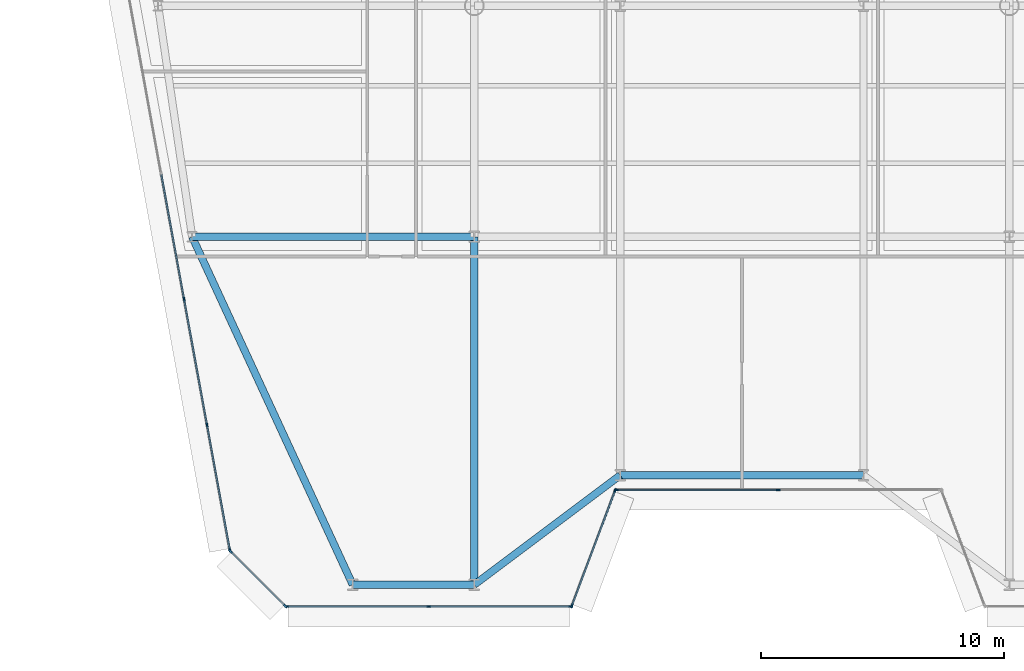
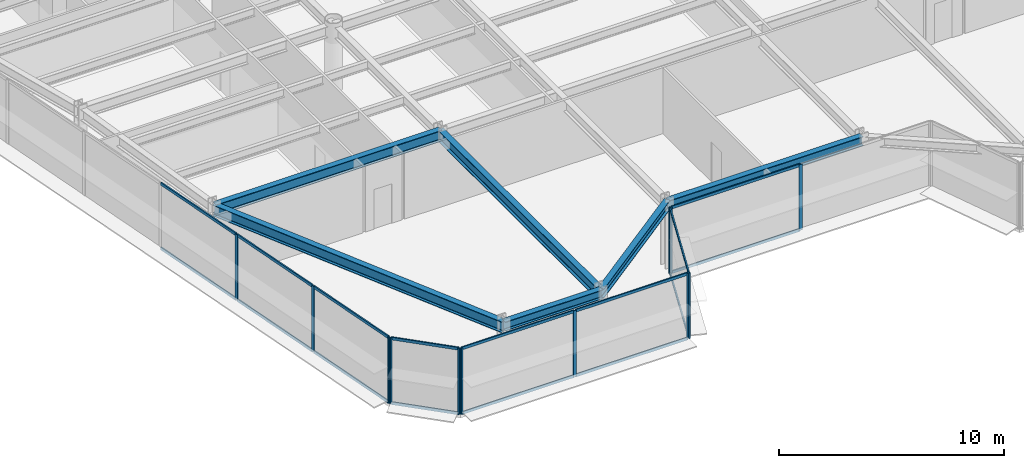
# One storey, part 2 of 17: 28 members, 6 beams, 5 elements without a shape of their own.
"""IFC4 building model written with IfcOpenShell, lengths in metres."""

from ifc_helpers import new_model, si_unit, direction, frame, origin, origin_2d, place, context, subcontext, project, spatial, rectangle, i_section, extrude, source, transform, mapped, material, layer, layer_set, material_profile, profile_set, type_object, element, aggregate, save


model = new_model("IFC4")

# Units and contexts
model_context = context("Model", 3, precision=1e-05, world=origin(), true_north=direction((0.0, 1.0)))
body_context = subcontext(model_context, "Body", "Model", "MODEL_VIEW")
ifc_project = project(units=[si_unit("LENGTHUNIT", "METRE"), si_unit("AREAUNIT", "SQUARE_METRE"), si_unit("VOLUMEUNIT", "CUBIC_METRE"), si_unit("PLANEANGLEUNIT", "RADIAN"), si_unit("MASSUNIT", "GRAM", prefix="KILO")], contexts=[model_context])

# Site, building, storey
site_placement = place(None, origin())
site = spatial("IfcSite", under=ifc_project, at=site_placement, CompositionType="ELEMENT")
building_placement = place(site_placement, origin())
building = spatial("IfcBuilding", under=site, at=building_placement, Name="Vaeldorn Concourse Tower", CompositionType="ELEMENT")
storey_placement = place(building_placement, frame((0.0, 0.0, 169.0)))
storey = spatial("IfcBuildingStorey", under=building, at=storey_placement, Name="L43", CompositionType="ELEMENT", Elevation=169.0)

# Beams
ifc_material_1 = material(Name="Steel S355", Category="steel")
ifc_material_profile_1 = material_profile(ifc_material_1, i_section(OverallWidth=0.300048828125, OverallDepth=0.5, WebThickness=0.014404296875, FlangeThickness=0.028076171875, FilletRadius=0.027099609375, at=origin_2d()), Name="HEB 500")
ifc_profile_set_1 = profile_set([ifc_material_profile_1], Name="Steel S355")
beam_type_1 = type_object("IfcBeamType", Name="BM-SP-HEB500", PredefinedType="SPANDREL", material=ifc_profile_set_1)
shared_shape_1 = source(origin(), body_context, "Body", "SweptSolid", [
    extrude(i_section(OverallWidth=0.300048828125, OverallDepth=0.5, WebThickness=0.014404296875, FlangeThickness=0.028076171875, FilletRadius=0.027099609375, at=origin_2d()), origin(), (0.0, 0.0, 1.0), 5.0),
])
beam_1_placement = place(storey_placement, frame((18.0, 3.699951171875, 3.330078125), z_axis=(1.0, 0.0, 0.0), x_axis=(0.0, 1.0, 0.0)))
element("IfcBeam", 1, at=beam_1_placement, inside=storey, type_object=beam_type_1, Name="Beam BM-L43-C-SF1-C-SF2", PredefinedType="SPANDREL", context=body_context, shape_type="MappedRepresentation", body=[
    mapped(shared_shape_1, transform((0.0, 0.0, 0.0), scale=1.0)),
])
shared_shape_2 = source(origin(), body_context, "Body", "SweptSolid", [
    extrude(i_section(OverallWidth=0.300048828125, OverallDepth=0.5, WebThickness=0.014404296875, FlangeThickness=0.028076171875, FilletRadius=0.027099609375, at=origin_2d()), origin(), (0.0, 0.0, 1.0), 7.5),
])
beam_2_placement = place(storey_placement, frame((23.0, 3.699951171875, 3.330078125), z_axis=(0.8, 0.6, 0.0), x_axis=(-0.6, 0.8, 0.0)))
element("IfcBeam", 2, at=beam_2_placement, inside=storey, type_object=beam_type_1, Name="Beam BM-L43-C-SF2-C-SF3", PredefinedType="SPANDREL", context=body_context, shape_type="MappedRepresentation", body=[
    mapped(shared_shape_2, transform((0.0, 0.0, 0.0), scale=1.0)),
])
shared_shape_3 = source(origin(), body_context, "Body", "SweptSolid", [
    extrude(i_section(OverallWidth=0.300048828125, OverallDepth=0.5, WebThickness=0.014404296875, FlangeThickness=0.028076171875, FilletRadius=0.027099609375, at=origin_2d()), origin(), (0.0, 0.0, 1.0), 10.0),
])
beam_3_placement = place(storey_placement, frame((29.0, 8.199951171875, 3.330078125), z_axis=(1.0, 0.0, 0.0), x_axis=(0.0, 1.0, 0.0)))
element("IfcBeam", 3, at=beam_3_placement, inside=storey, type_object=beam_type_1, Name="Beam BM-L43-C-SF3-C-SF4", PredefinedType="SPANDREL", context=body_context, shape_type="MappedRepresentation", body=[
    mapped(shared_shape_3, transform((0.0, 0.0, 0.0), scale=1.0)),
])
ifc_material_profile_2 = material_profile(ifc_material_1, i_section(OverallWidth=0.300048828125, OverallDepth=0.60009765625, WebThickness=0.015380859375, FlangeThickness=0.030029296875, FilletRadius=0.027099609375, at=origin_2d()), Name="HEB 600")
ifc_profile_set_2 = profile_set([ifc_material_profile_2], Name="Steel S355")
beam_type_2 = type_object("IfcBeamType", Name="BM-PG-HEB600", PredefinedType="BEAM", material=ifc_profile_set_2)
shared_shape_4 = source(origin(), body_context, "Body", "SweptSolid", [
    extrude(i_section(OverallWidth=0.300048828125, OverallDepth=0.60009765625, WebThickness=0.015380859375, FlangeThickness=0.030029296875, FilletRadius=0.027099609375, at=origin_2d()), origin(), (0.0, 0.0, 1.0), 11.60009765625),
])
beam_4_placement = place(storey_placement, frame((11.39990234375, 18.0, 3.280029296875), z_axis=(1.0, 0.0, 0.0), x_axis=(0.0, 1.0, 0.0)))
element("IfcBeam", 4, at=beam_4_placement, inside=storey, type_object=beam_type_2, Name="Beam BM-L43-C-FLW2-C-TW5", PredefinedType="BEAM", context=body_context, shape_type="MappedRepresentation", body=[
    mapped(shared_shape_4, transform((0.0, 0.0, 0.0), scale=1.0)),
])
shared_shape_5 = source(origin(), body_context, "Body", "SweptSolid", [
    extrude(i_section(OverallWidth=0.300048828125, OverallDepth=0.60009765625, WebThickness=0.015380859375, FlangeThickness=0.030029296875, FilletRadius=0.027099609375, at=origin_2d()), origin(), (0.0, 0.0, 1.0), 15.749755859375),
])
beam_5_placement = place(storey_placement, frame((18.0, 3.699951171875, 3.280029296875), z_axis=(-0.419062109495, 0.907957569706, 0.0), x_axis=(-0.907957569706, -0.419062109495, 0.0)))
element("IfcBeam", 5, at=beam_5_placement, inside=storey, type_object=beam_type_2, Name="Beam BM-L43-C-SF1-C-FLW2", PredefinedType="BEAM", context=body_context, shape_type="MappedRepresentation", body=[
    mapped(shared_shape_5, transform((0.0, 0.0, 0.0), scale=1.0)),
])
shared_shape_6 = source(origin(), body_context, "Body", "SweptSolid", [
    extrude(i_section(OverallWidth=0.300048828125, OverallDepth=0.60009765625, WebThickness=0.015380859375, FlangeThickness=0.030029296875, FilletRadius=0.027099609375, at=origin_2d()), origin(), (0.0, 0.0, 1.0), 14.300048828125),
])
beam_6_placement = place(storey_placement, frame((23.0, 3.699951171875, 3.280029296875), z_axis=(0.0, 1.0, 0.0), x_axis=(-1.0, 0.0, 0.0)))
element("IfcBeam", 6, at=beam_6_placement, inside=storey, type_object=beam_type_2, Name="Beam BM-L43-C-SF2-C-TW5", PredefinedType="BEAM", context=body_context, shape_type="MappedRepresentation", body=[
    mapped(shared_shape_6, transform((0.0, 0.0, 0.0), scale=1.0)),
])

# Curtain wall, members
ifc_material_2 = material(Name="Anodised Bronze Aluminium", Category="aluminium")
ifc_layer = layer(ifc_material_2, 0.18994140625)
ifc_layer_set = layer_set([ifc_layer], Name="Anodised Bronze Aluminium")
curtain_wall_type = type_object("IfcCurtainWallType", Name="CW-SYS-03", PredefinedType="NOTDEFINED", material=ifc_layer_set)
curtain_wall_1_placement = place(storey_placement, origin())
curtain_wall_1 = element("IfcCurtainWall", 7, at=curtain_wall_1_placement, inside=storey, type_object=curtain_wall_type, Name="Unitised Curtain Wall CW-L43-E02-1", PredefinedType="NOTDEFINED")
ifc_material_profile_3 = material_profile(ifc_material_2, rectangle(XDim=0.06494140625, YDim=0.14990234375, at=origin_2d()), Name="CWT 65x150")
ifc_profile_set_3 = profile_set([ifc_material_profile_3], Name="Anodised Bronze Aluminium")
member_type_1 = type_object("IfcMemberType", Name="CWT-BRONZE-150", PredefinedType="USERDEFINED", material=ifc_profile_set_3)
shared_shape_7 = source(origin(), body_context, "Body", "SweptSolid", [
    extrude(rectangle(XDim=0.06494140625, YDim=0.14990234375, at=origin_2d()), origin(), (0.0, 0.0, 1.0), 4.996337890625),
])
member_1_placement = place(storey_placement, frame((27.022705078125, 2.86083984375, 0.032470703125), z_axis=(0.351134151405, 0.936325161318, 0.0), x_axis=(-0.936325161318, 0.351134151405, 0.0)))
member_1 = element("IfcMember", 8, at=member_1_placement, type_object=member_type_1, Name="CW-03 transom 1.1", ObjectType="TRANSOM", PredefinedType="USERDEFINED", context=body_context, shape_type="MappedRepresentation", body=[
    mapped(shared_shape_7, transform((0.0, 0.0, 0.0), scale=1.0)),
])
member_2_placement = place(storey_placement, frame((27.022705078125, 2.86083984375, 3.547607421875), z_axis=(0.351134151405, 0.936325161318, 0.0), x_axis=(-0.936325161318, 0.351134151405, 0.0)))
member_2 = element("IfcMember", 9, at=member_2_placement, type_object=member_type_1, Name="CW-03 transom 1.2", ObjectType="TRANSOM", PredefinedType="USERDEFINED", context=body_context, shape_type="MappedRepresentation", body=[
    mapped(shared_shape_7, transform((0.0, 0.0, 0.0), scale=1.0)),
])

curtain_wall_2_placement = place(storey_placement, origin())
curtain_wall_2 = element("IfcCurtainWall", 10, at=curtain_wall_2_placement, inside=storey, type_object=curtain_wall_type, Name="Unitised Curtain Wall CW-L43-E03-1", PredefinedType="NOTDEFINED")
shared_shape_8 = source(origin(), body_context, "Body", "SweptSolid", [
    extrude(rectangle(XDim=0.06494140625, YDim=0.14990234375, at=origin_2d()), origin(), (0.0, 0.0, 1.0), 6.6025390625),
])
member_3_placement = place(storey_placement, frame((28.864990234375, 7.60009765625, 0.032470703125), z_axis=(1.0, 0.0, 0.0), x_axis=(0.0, 1.0, 0.0)))
member_3 = element("IfcMember", 11, at=member_3_placement, type_object=member_type_1, Name="CW-03 transom 1.1", ObjectType="TRANSOM", PredefinedType="USERDEFINED", context=body_context, shape_type="MappedRepresentation", body=[
    mapped(shared_shape_8, transform((0.0, 0.0, 0.0), scale=1.0)),
])
member_4_placement = place(storey_placement, frame((28.864990234375, 7.60009765625, 3.547607421875), z_axis=(1.0, 0.0, 0.0), x_axis=(0.0, 1.0, 0.0)))
member_4 = element("IfcMember", 12, at=member_4_placement, type_object=member_type_1, Name="CW-03 transom 1.2", ObjectType="TRANSOM", PredefinedType="USERDEFINED", context=body_context, shape_type="MappedRepresentation", body=[
    mapped(shared_shape_8, transform((0.0, 0.0, 0.0), scale=1.0)),
])

curtain_wall_3_placement = place(storey_placement, origin())
curtain_wall_3 = element("IfcCurtainWall", 13, at=curtain_wall_3_placement, inside=storey, type_object=curtain_wall_type, Name="Unitised Curtain Wall CW-L43-E12-1", PredefinedType="NOTDEFINED")
shared_shape_9 = source(origin(), body_context, "Body", "SweptSolid", [
    extrude(rectangle(XDim=0.06494140625, YDim=0.14990234375, at=origin_2d()), origin(), (0.0, 0.0, 1.0), 3.12255859375),
])
member_5_placement = place(storey_placement, frame((12.9990234375, 5.053955078125, 0.032470703125), z_axis=(0.707106781187, -0.707106781187, 0.0), x_axis=(0.707106781187, 0.707106781187, 0.0)))
member_5 = element("IfcMember", 14, at=member_5_placement, type_object=member_type_1, Name="CW-03 transom 1.1", ObjectType="TRANSOM", PredefinedType="USERDEFINED", context=body_context, shape_type="MappedRepresentation", body=[
    mapped(shared_shape_9, transform((0.0, 0.0, 0.0), scale=1.0)),
])
member_6_placement = place(storey_placement, frame((12.9990234375, 5.053955078125, 3.547607421875), z_axis=(0.707106781187, -0.707106781187, 0.0), x_axis=(0.707106781187, 0.707106781187, 0.0)))
member_6 = element("IfcMember", 15, at=member_6_placement, type_object=member_type_1, Name="CW-03 transom 1.2", ObjectType="TRANSOM", PredefinedType="USERDEFINED", context=body_context, shape_type="MappedRepresentation", body=[
    mapped(shared_shape_9, transform((0.0, 0.0, 0.0), scale=1.0)),
])

curtain_wall_4_placement = place(storey_placement, origin())
curtain_wall_4 = element("IfcCurtainWall", 16, at=curtain_wall_4_placement, inside=storey, type_object=curtain_wall_type, Name="Unitised Curtain Wall CW-L43-E01-1", PredefinedType="NOTDEFINED")
shared_shape_10 = source(origin(), body_context, "Body", "SweptSolid", [
    extrude(rectangle(XDim=0.06494140625, YDim=0.14990234375, at=origin_2d()), origin(), (0.0, 0.0, 1.0), 5.77587890625),
])
member_7_placement = place(storey_placement, frame((15.318115234375, 2.800048828125, 0.032470703125), z_axis=(1.0, 0.0, 0.0), x_axis=(0.0, 1.0, 0.0)))
member_7 = element("IfcMember", 17, at=member_7_placement, type_object=member_type_1, Name="CW-03 transom 1.1", ObjectType="TRANSOM", PredefinedType="USERDEFINED", context=body_context, shape_type="MappedRepresentation", body=[
    mapped(shared_shape_10, transform((0.0, 0.0, 0.0), scale=1.0)),
])
member_8_placement = place(storey_placement, frame((15.318115234375, 2.800048828125, 3.547607421875), z_axis=(1.0, 0.0, 0.0), x_axis=(0.0, 1.0, 0.0)))
member_8 = element("IfcMember", 18, at=member_8_placement, type_object=member_type_1, Name="CW-03 transom 1.2", ObjectType="TRANSOM", PredefinedType="USERDEFINED", context=body_context, shape_type="MappedRepresentation", body=[
    mapped(shared_shape_10, transform((0.0, 0.0, 0.0), scale=1.0)),
])
shared_shape_11 = source(origin(), body_context, "Body", "SweptSolid", [
    extrude(rectangle(XDim=0.06494140625, YDim=0.14990234375, at=origin_2d()), origin(), (0.0, 0.0, 1.0), 5.776123046875),
])
member_9_placement = place(storey_placement, frame((21.158935546875, 2.800048828125, 0.032470703125), z_axis=(1.0, 0.0, 0.0), x_axis=(0.0, 1.0, 0.0)))
member_9 = element("IfcMember", 19, at=member_9_placement, type_object=member_type_1, Name="CW-03 transom 2.1", ObjectType="TRANSOM", PredefinedType="USERDEFINED", context=body_context, shape_type="MappedRepresentation", body=[
    mapped(shared_shape_11, transform((0.0, 0.0, 0.0), scale=1.0)),
])
member_10_placement = place(storey_placement, frame((21.158935546875, 2.800048828125, 3.547607421875), z_axis=(1.0, 0.0, 0.0), x_axis=(0.0, 1.0, 0.0)))
member_10 = element("IfcMember", 20, at=member_10_placement, type_object=member_type_1, Name="CW-03 transom 2.2", ObjectType="TRANSOM", PredefinedType="USERDEFINED", context=body_context, shape_type="MappedRepresentation", body=[
    mapped(shared_shape_11, transform((0.0, 0.0, 0.0), scale=1.0)),
])

curtain_wall_5_placement = place(storey_placement, origin())
curtain_wall_5 = element("IfcCurtainWall", 21, at=curtain_wall_5_placement, inside=storey, type_object=curtain_wall_type, Name="Unitised Curtain Wall CW-L43-E11-2", PredefinedType="NOTDEFINED")
shared_shape_12 = source(origin(), body_context, "Body", "SweptSolid", [
    extrude(rectangle(XDim=0.06494140625, YDim=0.14990234375, at=origin_2d()), origin(), (0.0, 0.0, 1.0), 5.151611328125),
])
member_11_placement = place(storey_placement, frame((12.016845703125, 10.23193359375, 0.032470703125), z_axis=(0.179473445995, -0.983762818053, 0.0), x_axis=(0.983762818053, 0.179473445995, 0.0)))
member_11 = element("IfcMember", 22, at=member_11_placement, type_object=member_type_1, Name="CW-03 transom 6.1", ObjectType="TRANSOM", PredefinedType="USERDEFINED", context=body_context, shape_type="MappedRepresentation", body=[
    mapped(shared_shape_12, transform((0.0, 0.0, 0.0), scale=1.0)),
])
member_12_placement = place(storey_placement, frame((12.016845703125, 10.23193359375, 3.547607421875), z_axis=(0.179473445995, -0.983762818053, 0.0), x_axis=(0.983762818053, 0.179473445995, 0.0)))
member_12 = element("IfcMember", 23, at=member_12_placement, type_object=member_type_1, Name="CW-03 transom 6.2", ObjectType="TRANSOM", PredefinedType="USERDEFINED", context=body_context, shape_type="MappedRepresentation", body=[
    mapped(shared_shape_12, transform((0.0, 0.0, 0.0), scale=1.0)),
])
shared_shape_13 = source(origin(), body_context, "Body", "SweptSolid", [
    extrude(rectangle(XDim=0.06494140625, YDim=0.14990234375, at=origin_2d()), origin(), (0.0, 0.0, 1.0), 5.18408203125),
])
member_13_placement = place(storey_placement, frame((11.074951171875, 15.395751953125, 0.032470703125), z_axis=(0.179432467646, -0.983770293084, 0.0), x_axis=(0.983770293084, 0.179432467646, 0.0)))
member_13 = element("IfcMember", 24, at=member_13_placement, type_object=member_type_1, Name="CW-03 transom 5.1", ObjectType="TRANSOM", PredefinedType="USERDEFINED", context=body_context, shape_type="MappedRepresentation", body=[
    mapped(shared_shape_13, transform((0.0, 0.0, 0.0), scale=1.0)),
])
member_14_placement = place(storey_placement, frame((11.074951171875, 15.395751953125, 3.547607421875), z_axis=(0.179432467646, -0.983770293084, 0.0), x_axis=(0.983770293084, 0.179432467646, 0.0)))
member_14 = element("IfcMember", 25, at=member_14_placement, type_object=member_type_1, Name="CW-03 transom 5.2", ObjectType="TRANSOM", PredefinedType="USERDEFINED", context=body_context, shape_type="MappedRepresentation", body=[
    mapped(shared_shape_13, transform((0.0, 0.0, 0.0), scale=1.0)),
])
shared_shape_14 = source(origin(), body_context, "Body", "SweptSolid", [
    extrude(rectangle(XDim=0.06494140625, YDim=0.14990234375, at=origin_2d()), origin(), (0.0, 0.0, 1.0), 5.184326171875),
])
member_15_placement = place(storey_placement, frame((10.133056640625, 20.559814453125, 0.032470703125), z_axis=(0.179424154775, -0.983771809254, 0.0), x_axis=(0.983771809254, 0.179424154775, 0.0)))
member_15 = element("IfcMember", 26, at=member_15_placement, type_object=member_type_1, Name="CW-03 transom 4.1", ObjectType="TRANSOM", PredefinedType="USERDEFINED", context=body_context, shape_type="MappedRepresentation", body=[
    mapped(shared_shape_14, transform((0.0, 0.0, 0.0), scale=1.0)),
])
member_16_placement = place(storey_placement, frame((10.133056640625, 20.559814453125, 3.547607421875), z_axis=(0.179424154775, -0.983771809254, 0.0), x_axis=(0.983771809254, 0.179424154775, 0.0)))
member_16 = element("IfcMember", 27, at=member_16_placement, type_object=member_type_1, Name="CW-03 transom 4.2", ObjectType="TRANSOM", PredefinedType="USERDEFINED", context=body_context, shape_type="MappedRepresentation", body=[
    mapped(shared_shape_14, transform((0.0, 0.0, 0.0), scale=1.0)),
])

# Member
ifc_material_profile_4 = material_profile(ifc_material_2, rectangle(XDim=0.06494140625, YDim=0.169921875, at=origin_2d()), Name="CWM 65x170")
ifc_profile_set_4 = profile_set([ifc_material_profile_4], Name="Anodised Bronze Aluminium")
member_type_2 = type_object("IfcMemberType", Name="CWM-BRONZE-170", PredefinedType="MULLION", material=ifc_profile_set_4)
shared_shape_15 = source(origin(), body_context, "Body", "SweptSolid", [
    extrude(rectangle(XDim=0.06494140625, YDim=0.169921875, at=origin_2d()), origin(), (0.0, 0.0, 1.0), 3.580078125),
])
member_17_placement = place(storey_placement, frame((15.285400390625, 2.800048828125, 0.0), z_axis=(0.0, 0.0, 1.0), x_axis=(0.0, 1.0, 0.0)))
member_17 = element("IfcMember", 28, at=member_17_placement, type_object=member_type_2, Name="CW-03 mullion 1", PredefinedType="MULLION", context=body_context, shape_type="MappedRepresentation", body=[
    mapped(shared_shape_15, transform((0.0, 0.0, 0.0), scale=1.0)),
])

member_18_placement = place(storey_placement, frame((21.12646484375, 2.800048828125, 0.0), z_axis=(0.0, 0.0, 1.0), x_axis=(0.0, 1.0, 0.0)))
member_18 = element("IfcMember", 29, at=member_18_placement, type_object=member_type_2, Name="CW-03 mullion 2", PredefinedType="MULLION", context=body_context, shape_type="MappedRepresentation", body=[
    mapped(shared_shape_15, transform((0.0, 0.0, 0.0), scale=1.0)),
])

member_19_placement = place(storey_placement, frame((26.967529296875, 2.800048828125, 0.0), z_axis=(0.0, 0.0, 1.0), x_axis=(0.0, 1.0, 0.0)))
member_19 = element("IfcMember", 30, at=member_19_placement, type_object=member_type_2, Name="CW-03 mullion 3", PredefinedType="MULLION", context=body_context, shape_type="MappedRepresentation", body=[
    mapped(shared_shape_15, transform((0.0, 0.0, 0.0), scale=1.0)),
])

aggregate(curtain_wall_4, [member_17, member_18, member_19, member_7, member_8, member_9, member_10])

member_20_placement = place(storey_placement, frame((27.011474609375, 2.830322265625, 0.0), z_axis=(0.0, 0.0, 1.0), x_axis=(-0.936329177566, 0.351123441595, 0.0)))
member_20 = element("IfcMember", 31, at=member_20_placement, type_object=member_type_2, Name="CW-03 mullion 1", PredefinedType="MULLION", context=body_context, shape_type="MappedRepresentation", body=[
    mapped(shared_shape_15, transform((0.0, 0.0, 0.0), scale=1.0)),
])

member_21_placement = place(storey_placement, frame((28.78857421875, 7.569580078125, 0.0), z_axis=(0.0, 0.0, 1.0), x_axis=(-0.936329177566, 0.351123441595, 0.0)))
member_21 = element("IfcMember", 32, at=member_21_placement, type_object=member_type_2, Name="CW-03 mullion 2", PredefinedType="MULLION", context=body_context, shape_type="MappedRepresentation", body=[
    mapped(shared_shape_15, transform((0.0, 0.0, 0.0), scale=1.0)),
])

aggregate(curtain_wall_1, [member_20, member_21, member_1, member_2])

member_22_placement = place(storey_placement, frame((28.83251953125, 7.60009765625, 0.0), z_axis=(0.0, 0.0, 1.0), x_axis=(0.0, 1.0, 0.0)))
member_22 = element("IfcMember", 33, at=member_22_placement, type_object=member_type_2, Name="CW-03 mullion 1", PredefinedType="MULLION", context=body_context, shape_type="MappedRepresentation", body=[
    mapped(shared_shape_15, transform((0.0, 0.0, 0.0), scale=1.0)),
])

member_23_placement = place(storey_placement, frame((35.5, 7.60009765625, 0.0), z_axis=(0.0, 0.0, 1.0), x_axis=(0.0, 1.0, 0.0)))
member_23 = element("IfcMember", 34, at=member_23_placement, type_object=member_type_2, Name="CW-03 mullion 2", PredefinedType="MULLION", context=body_context, shape_type="MappedRepresentation", body=[
    mapped(shared_shape_15, transform((0.0, 0.0, 0.0), scale=1.0)),
])

aggregate(curtain_wall_2, [member_22, member_23, member_3, member_4])

member_24_placement = place(storey_placement, frame((11.069091796875, 15.427734375, 0.0), z_axis=(0.0, 0.0, 1.0), x_axis=(0.983767841325, 0.179445909331, 0.0)))
member_24 = element("IfcMember", 35, at=member_24_placement, type_object=member_type_2, Name="CW-03 mullion 5", PredefinedType="MULLION", context=body_context, shape_type="MappedRepresentation", body=[
    mapped(shared_shape_15, transform((0.0, 0.0, 0.0), scale=1.0)),
])

member_25_placement = place(storey_placement, frame((12.010986328125, 10.263916015625, 0.0), z_axis=(0.0, 0.0, 1.0), x_axis=(0.983767841325, 0.179445909331, 0.0)))
member_25 = element("IfcMember", 36, at=member_25_placement, type_object=member_type_2, Name="CW-03 mullion 6", PredefinedType="MULLION", context=body_context, shape_type="MappedRepresentation", body=[
    mapped(shared_shape_15, transform((0.0, 0.0, 0.0), scale=1.0)),
])

member_26_placement = place(storey_placement, frame((12.947265625, 5.132080078125, 0.0), z_axis=(0.0, 0.0, 1.0), x_axis=(0.983767841325, 0.179445909331, 0.0)))
member_26 = element("IfcMember", 37, at=member_26_placement, type_object=member_type_2, Name="CW-03 mullion 7", PredefinedType="MULLION", context=body_context, shape_type="MappedRepresentation", body=[
    mapped(shared_shape_15, transform((0.0, 0.0, 0.0), scale=1.0)),
])

aggregate(curtain_wall_5, [member_24, member_25, member_26, member_15, member_16, member_13, member_14, member_11, member_12])

member_27_placement = place(storey_placement, frame((12.97607421875, 5.076904296875, 0.0), z_axis=(0.0, 0.0, 1.0), x_axis=(0.707106781187, 0.707106781187, 0.0)))
member_27 = element("IfcMember", 38, at=member_27_placement, type_object=member_type_2, Name="CW-03 mullion 1", PredefinedType="MULLION", context=body_context, shape_type="MappedRepresentation", body=[
    mapped(shared_shape_15, transform((0.0, 0.0, 0.0), scale=1.0)),
])

member_28_placement = place(storey_placement, frame((15.22998046875, 2.822998046875, 0.0), z_axis=(0.0, 0.0, 1.0), x_axis=(0.707106781187, 0.707106781187, 0.0)))
member_28 = element("IfcMember", 39, at=member_28_placement, type_object=member_type_2, Name="CW-03 mullion 2", PredefinedType="MULLION", context=body_context, shape_type="MappedRepresentation", body=[
    mapped(shared_shape_15, transform((0.0, 0.0, 0.0), scale=1.0)),
])

aggregate(curtain_wall_3, [member_27, member_28, member_5, member_6])

save(model, "model.ifc")
